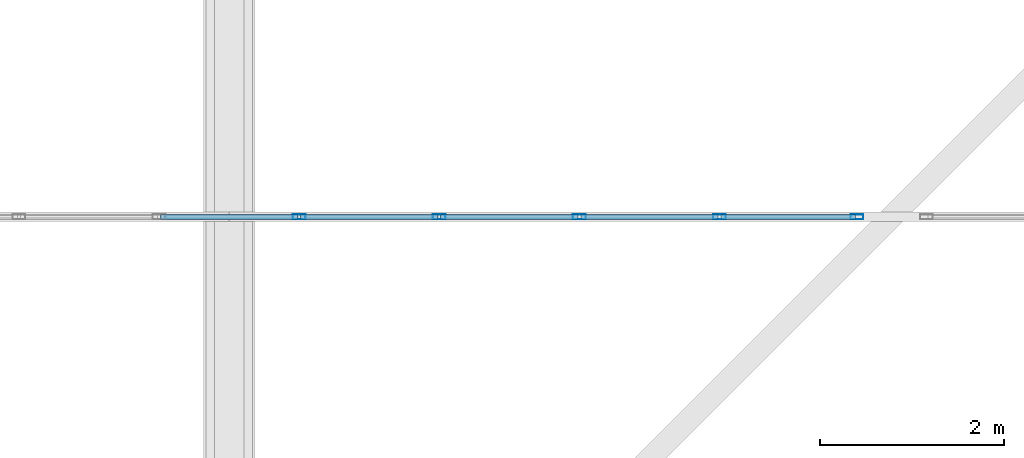
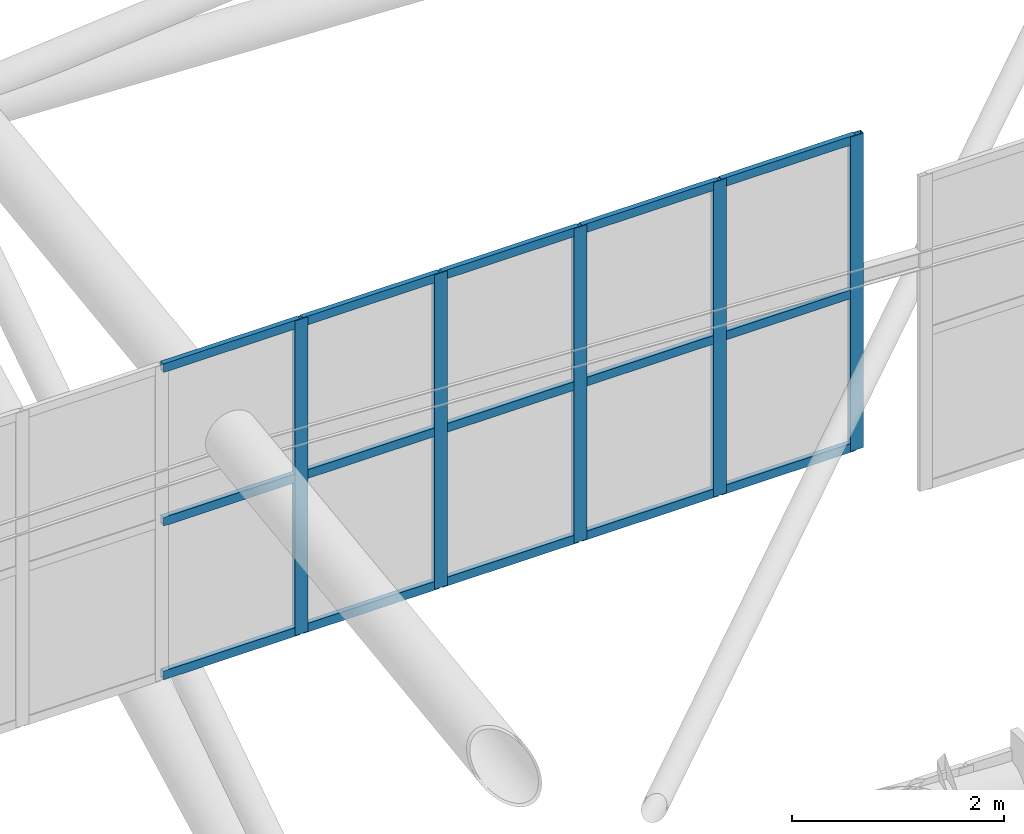
# One storey, part 93 of 397: 20 members, 1 element without a shape of its own.
"""IFC4 building model written with IfcOpenShell, lengths in metres."""

from ifc_helpers import new_model, si_unit, direction, frame, origin, origin_2d, place, context, subcontext, project, spatial, hollow_rectangle, extrude, material, material_profile, profile_set, type_object, element, aggregate, save


model = new_model("IFC4")

# Units and contexts
model_context = context("Model", 3, precision=1e-05, world=origin(), true_north=direction((0.0, 1.0)))
body_context = subcontext(model_context, "Body", "Model", "MODEL_VIEW")
ifc_project = project(units=[si_unit("LENGTHUNIT", "METRE"), si_unit("AREAUNIT", "SQUARE_METRE"), si_unit("VOLUMEUNIT", "CUBIC_METRE"), si_unit("PLANEANGLEUNIT", "RADIAN"), si_unit("MASSUNIT", "GRAM", prefix="KILO")], contexts=[model_context])

# Site, building, storey
site_placement = place(None, origin())
site = spatial("IfcSite", under=ifc_project, at=site_placement, CompositionType="ELEMENT")
building_placement = place(site_placement, origin())
building = spatial("IfcBuilding", under=site, at=building_placement, Name="Qandorah Velis Arena", CompositionType="ELEMENT")
storey_placement = place(building_placement, frame((0.0, 0.0, 27.5)))
storey = spatial("IfcBuildingStorey", under=building, at=storey_placement, Name="RF", CompositionType="ELEMENT", Elevation=27.5)

# Curtain wall, members
ifc_material_1 = material(Name="Solar-control low-E double glazing", Category="glass")
curtain_wall_type = type_object("IfcCurtainWallType", Name="ARC-CW-SYS22", PredefinedType="USERDEFINED", material=ifc_material_1)
curtain_wall_placement = place(storey_placement, origin())
curtain_wall = element("IfcCurtainWall", 1, at=curtain_wall_placement, inside=storey, type_object=curtain_wall_type, Name="Unitised curtain wall MON-3-4", ObjectType="UNITISED CURTAIN WALL", PredefinedType="USERDEFINED")
ifc_material_2 = material(Name="Champagne-bronze anodized aluminium 6063-T6", Category="aluminium")
ifc_material_profile_1 = material_profile(ifc_material_2, hollow_rectangle(XDim=0.054931640625, YDim=0.139892578125, WallThickness=0.0029296875, at=origin_2d()), Name="ALU MULLION 55x140")
ifc_profile_set_1 = profile_set([ifc_material_profile_1], Name="Champagne-bronze anodized aluminium 6063-T6")
member_type_1 = type_object("IfcMemberType", Name="ARC-CWM-140", PredefinedType="MULLION", material=ifc_profile_set_1)
member_1_placement = place(storey_placement, frame((72.76123046875, 21.60009765625, 6.064697265625), z_axis=(0.0, 0.0, 1.0), x_axis=(0.0, 1.0, 0.0)))
member_1 = element("IfcMember", 2, at=member_1_placement, type_object=member_type_1, Name="CW22 mullion 6", PredefinedType="MULLION", context=body_context, shape_type="SweptSolid", body=[
    extrude(hollow_rectangle(XDim=0.054931640625, YDim=0.139892578125, WallThickness=0.0029296875, at=origin_2d()), origin(), (0.0, 0.0, 1.0), 3.6298828125),
])
member_2_placement = place(storey_placement, frame((74.283447265625, 21.60009765625, 6.064697265625), z_axis=(0.0, 0.0, 1.0), x_axis=(0.0, 1.0, 0.0)))
member_2 = element("IfcMember", 3, at=member_2_placement, type_object=member_type_1, Name="CW22 mullion 7", PredefinedType="MULLION", context=body_context, shape_type="SweptSolid", body=[
    extrude(hollow_rectangle(XDim=0.054931640625, YDim=0.139892578125, WallThickness=0.0029296875, at=origin_2d()), origin(), (0.0, 0.0, 1.0), 3.6298828125),
])
member_3_placement = place(storey_placement, frame((75.8056640625, 21.60009765625, 6.064697265625), z_axis=(0.0, 0.0, 1.0), x_axis=(0.0, 1.0, 0.0)))
member_3 = element("IfcMember", 4, at=member_3_placement, type_object=member_type_1, Name="CW22 mullion 8", PredefinedType="MULLION", context=body_context, shape_type="SweptSolid", body=[
    extrude(hollow_rectangle(XDim=0.054931640625, YDim=0.139892578125, WallThickness=0.0029296875, at=origin_2d()), origin(), (0.0, 0.0, 1.0), 3.6298828125),
])
member_4_placement = place(storey_placement, frame((77.327880859375, 21.60009765625, 6.064697265625), z_axis=(0.0, 0.0, 1.0), x_axis=(0.0, 1.0, 0.0)))
member_4 = element("IfcMember", 5, at=member_4_placement, type_object=member_type_1, Name="CW22 mullion 9", PredefinedType="MULLION", context=body_context, shape_type="SweptSolid", body=[
    extrude(hollow_rectangle(XDim=0.054931640625, YDim=0.139892578125, WallThickness=0.0029296875, at=origin_2d()), origin(), (0.0, 0.0, 1.0), 3.6298828125),
])
member_5_placement = place(storey_placement, frame((78.822509765625, 21.60009765625, 6.064697265625), z_axis=(0.0, 0.0, 1.0), x_axis=(0.0, 1.0, 0.0)))
member_5 = element("IfcMember", 6, at=member_5_placement, type_object=member_type_1, Name="CW22 mullion 10", PredefinedType="MULLION", context=body_context, shape_type="SweptSolid", body=[
    extrude(hollow_rectangle(XDim=0.054931640625, YDim=0.139892578125, WallThickness=0.0029296875, at=origin_2d()), origin(), (0.0, 0.0, 1.0), 3.6298828125),
])
ifc_material_profile_2 = material_profile(ifc_material_2, hollow_rectangle(XDim=0.054931640625, YDim=0.10009765625, WallThickness=0.0029296875, at=origin_2d()), Name="ALU TRANSOM 55x100")
ifc_profile_set_2 = profile_set([ifc_material_profile_2], Name="Champagne-bronze anodized aluminium 6063-T6")
member_type_2 = type_object("IfcMemberType", Name="ARC-CWT-100", PredefinedType="USERDEFINED", material=ifc_profile_set_2)
member_6_placement = place(storey_placement, frame((71.25439453125, 21.60009765625, 6.107177734375), z_axis=(1.0, 0.0, 0.0), x_axis=(0.0, 1.0, 0.0)))
member_6 = element("IfcMember", 7, at=member_6_placement, type_object=member_type_2, Name="CW22 transom 5.1", ObjectType="TRANSOM", PredefinedType="USERDEFINED", context=body_context, shape_type="SweptSolid", body=[
    extrude(hollow_rectangle(XDim=0.054931640625, YDim=0.10009765625, WallThickness=0.0029296875, at=origin_2d()), origin(), (0.0, 0.0, 1.0), 1.4912109375),
])
member_7_placement = place(storey_placement, frame((71.25439453125, 21.60009765625, 7.879638671875), z_axis=(1.0, 0.0, 0.0), x_axis=(0.0, 1.0, 0.0)))
member_7 = element("IfcMember", 8, at=member_7_placement, type_object=member_type_2, Name="CW22 transom 5.2", ObjectType="TRANSOM", PredefinedType="USERDEFINED", context=body_context, shape_type="SweptSolid", body=[
    extrude(hollow_rectangle(XDim=0.054931640625, YDim=0.10009765625, WallThickness=0.0029296875, at=origin_2d()), origin(), (0.0, 0.0, 1.0), 1.4912109375),
])
member_8_placement = place(storey_placement, frame((71.25439453125, 21.60009765625, 9.652099609375), z_axis=(1.0, 0.0, 0.0), x_axis=(0.0, 1.0, 0.0)))
member_8 = element("IfcMember", 9, at=member_8_placement, type_object=member_type_2, Name="CW22 transom 5.3", ObjectType="TRANSOM", PredefinedType="USERDEFINED", context=body_context, shape_type="SweptSolid", body=[
    extrude(hollow_rectangle(XDim=0.054931640625, YDim=0.10009765625, WallThickness=0.0029296875, at=origin_2d()), origin(), (0.0, 0.0, 1.0), 1.4912109375),
])
member_9_placement = place(storey_placement, frame((72.776611328125, 21.60009765625, 6.107177734375), z_axis=(1.0, 0.0, 0.0), x_axis=(0.0, 1.0, 0.0)))
member_9 = element("IfcMember", 10, at=member_9_placement, type_object=member_type_2, Name="CW22 transom 6.1", ObjectType="TRANSOM", PredefinedType="USERDEFINED", context=body_context, shape_type="SweptSolid", body=[
    extrude(hollow_rectangle(XDim=0.054931640625, YDim=0.10009765625, WallThickness=0.0029296875, at=origin_2d()), origin(), (0.0, 0.0, 1.0), 1.4912109375),
])
member_10_placement = place(storey_placement, frame((72.776611328125, 21.60009765625, 7.879638671875), z_axis=(1.0, 0.0, 0.0), x_axis=(0.0, 1.0, 0.0)))
member_10 = element("IfcMember", 11, at=member_10_placement, type_object=member_type_2, Name="CW22 transom 6.2", ObjectType="TRANSOM", PredefinedType="USERDEFINED", context=body_context, shape_type="SweptSolid", body=[
    extrude(hollow_rectangle(XDim=0.054931640625, YDim=0.10009765625, WallThickness=0.0029296875, at=origin_2d()), origin(), (0.0, 0.0, 1.0), 1.4912109375),
])
member_11_placement = place(storey_placement, frame((72.776611328125, 21.60009765625, 9.652099609375), z_axis=(1.0, 0.0, 0.0), x_axis=(0.0, 1.0, 0.0)))
member_11 = element("IfcMember", 12, at=member_11_placement, type_object=member_type_2, Name="CW22 transom 6.3", ObjectType="TRANSOM", PredefinedType="USERDEFINED", context=body_context, shape_type="SweptSolid", body=[
    extrude(hollow_rectangle(XDim=0.054931640625, YDim=0.10009765625, WallThickness=0.0029296875, at=origin_2d()), origin(), (0.0, 0.0, 1.0), 1.4912109375),
])
member_12_placement = place(storey_placement, frame((74.298828125, 21.60009765625, 6.107177734375), z_axis=(1.0, 0.0, 0.0), x_axis=(0.0, 1.0, 0.0)))
member_12 = element("IfcMember", 13, at=member_12_placement, type_object=member_type_2, Name="CW22 transom 7.1", ObjectType="TRANSOM", PredefinedType="USERDEFINED", context=body_context, shape_type="SweptSolid", body=[
    extrude(hollow_rectangle(XDim=0.054931640625, YDim=0.10009765625, WallThickness=0.0029296875, at=origin_2d()), origin(), (0.0, 0.0, 1.0), 1.4912109375),
])
member_13_placement = place(storey_placement, frame((74.298828125, 21.60009765625, 7.879638671875), z_axis=(1.0, 0.0, 0.0), x_axis=(0.0, 1.0, 0.0)))
member_13 = element("IfcMember", 14, at=member_13_placement, type_object=member_type_2, Name="CW22 transom 7.2", ObjectType="TRANSOM", PredefinedType="USERDEFINED", context=body_context, shape_type="SweptSolid", body=[
    extrude(hollow_rectangle(XDim=0.054931640625, YDim=0.10009765625, WallThickness=0.0029296875, at=origin_2d()), origin(), (0.0, 0.0, 1.0), 1.4912109375),
])
member_14_placement = place(storey_placement, frame((74.298828125, 21.60009765625, 9.652099609375), z_axis=(1.0, 0.0, 0.0), x_axis=(0.0, 1.0, 0.0)))
member_14 = element("IfcMember", 15, at=member_14_placement, type_object=member_type_2, Name="CW22 transom 7.3", ObjectType="TRANSOM", PredefinedType="USERDEFINED", context=body_context, shape_type="SweptSolid", body=[
    extrude(hollow_rectangle(XDim=0.054931640625, YDim=0.10009765625, WallThickness=0.0029296875, at=origin_2d()), origin(), (0.0, 0.0, 1.0), 1.4912109375),
])
member_15_placement = place(storey_placement, frame((75.821044921875, 21.60009765625, 6.107177734375), z_axis=(1.0, 0.0, 0.0), x_axis=(0.0, 1.0, 0.0)))
member_15 = element("IfcMember", 16, at=member_15_placement, type_object=member_type_2, Name="CW22 transom 8.1", ObjectType="TRANSOM", PredefinedType="USERDEFINED", context=body_context, shape_type="SweptSolid", body=[
    extrude(hollow_rectangle(XDim=0.054931640625, YDim=0.10009765625, WallThickness=0.0029296875, at=origin_2d()), origin(), (0.0, 0.0, 1.0), 1.4912109375),
])
member_16_placement = place(storey_placement, frame((75.821044921875, 21.60009765625, 7.879638671875), z_axis=(1.0, 0.0, 0.0), x_axis=(0.0, 1.0, 0.0)))
member_16 = element("IfcMember", 17, at=member_16_placement, type_object=member_type_2, Name="CW22 transom 8.2", ObjectType="TRANSOM", PredefinedType="USERDEFINED", context=body_context, shape_type="SweptSolid", body=[
    extrude(hollow_rectangle(XDim=0.054931640625, YDim=0.10009765625, WallThickness=0.0029296875, at=origin_2d()), origin(), (0.0, 0.0, 1.0), 1.4912109375),
])
member_17_placement = place(storey_placement, frame((75.821044921875, 21.60009765625, 9.652099609375), z_axis=(1.0, 0.0, 0.0), x_axis=(0.0, 1.0, 0.0)))
member_17 = element("IfcMember", 18, at=member_17_placement, type_object=member_type_2, Name="CW22 transom 8.3", ObjectType="TRANSOM", PredefinedType="USERDEFINED", context=body_context, shape_type="SweptSolid", body=[
    extrude(hollow_rectangle(XDim=0.054931640625, YDim=0.10009765625, WallThickness=0.0029296875, at=origin_2d()), origin(), (0.0, 0.0, 1.0), 1.4912109375),
])
member_18_placement = place(storey_placement, frame((77.34326171875, 21.60009765625, 6.107177734375), z_axis=(1.0, 0.0, 0.0), x_axis=(0.0, 1.0, 0.0)))
member_18 = element("IfcMember", 19, at=member_18_placement, type_object=member_type_2, Name="CW22 transom 9.1", ObjectType="TRANSOM", PredefinedType="USERDEFINED", context=body_context, shape_type="SweptSolid", body=[
    extrude(hollow_rectangle(XDim=0.054931640625, YDim=0.10009765625, WallThickness=0.0029296875, at=origin_2d()), origin(), (0.0, 0.0, 1.0), 1.463623046875),
])
member_19_placement = place(storey_placement, frame((77.34326171875, 21.60009765625, 7.879638671875), z_axis=(1.0, 0.0, 0.0), x_axis=(0.0, 1.0, 0.0)))
member_19 = element("IfcMember", 20, at=member_19_placement, type_object=member_type_2, Name="CW22 transom 9.2", ObjectType="TRANSOM", PredefinedType="USERDEFINED", context=body_context, shape_type="SweptSolid", body=[
    extrude(hollow_rectangle(XDim=0.054931640625, YDim=0.10009765625, WallThickness=0.0029296875, at=origin_2d()), origin(), (0.0, 0.0, 1.0), 1.463623046875),
])
member_20_placement = place(storey_placement, frame((77.34326171875, 21.60009765625, 9.652099609375), z_axis=(1.0, 0.0, 0.0), x_axis=(0.0, 1.0, 0.0)))
member_20 = element("IfcMember", 21, at=member_20_placement, type_object=member_type_2, Name="CW22 transom 9.3", ObjectType="TRANSOM", PredefinedType="USERDEFINED", context=body_context, shape_type="SweptSolid", body=[
    extrude(hollow_rectangle(XDim=0.054931640625, YDim=0.10009765625, WallThickness=0.0029296875, at=origin_2d()), origin(), (0.0, 0.0, 1.0), 1.463623046875),
])
aggregate(curtain_wall, [member_1, member_2, member_3, member_4, member_5, member_6, member_7, member_8, member_9, member_10, member_11, member_12, member_13, member_14, member_15, member_16, member_17, member_18, member_19, member_20])

save(model, "model.ifc")
